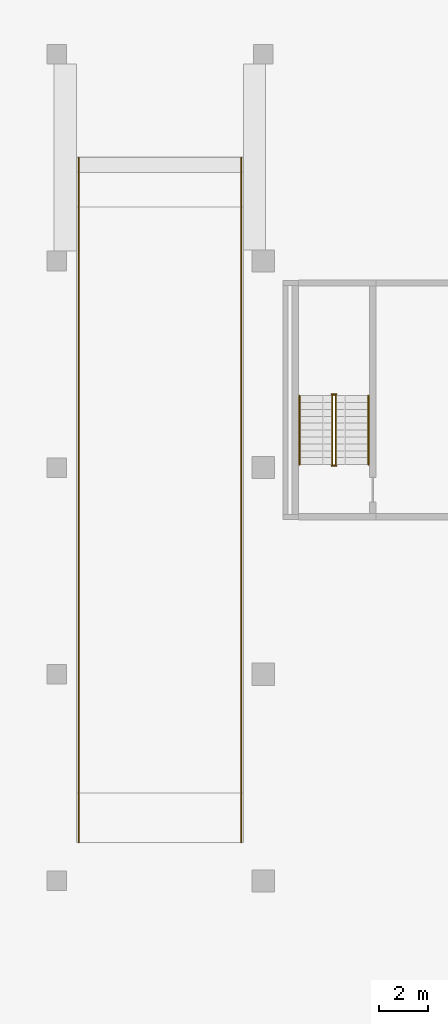
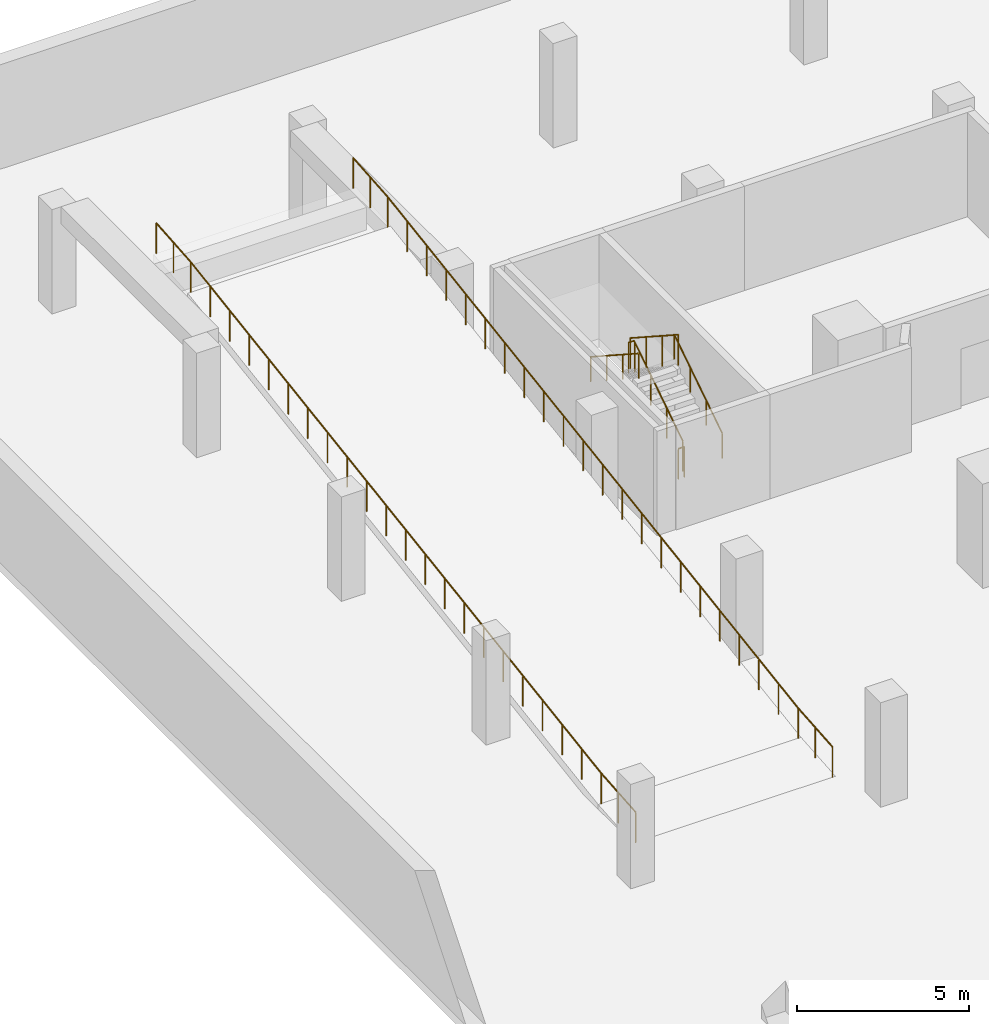
# One storey, part 17 of 18: 8 railings.
"""IFC4 building model written with IfcOpenShell, lengths in metres."""

from ifc_helpers import new_model, si_unit, direction, frame, origin, origin_2d, place, context, subcontext, project, spatial, circle, extrude, material, type_object, element, save


model = new_model("IFC4")

# Units and contexts
model_context = context("Model", 3, precision=1e-05, world=origin(), true_north=direction((0.0, 1.0)))
body_context = subcontext(model_context, "Body", "Model", "MODEL_VIEW")
ifc_project = project(units=[si_unit("LENGTHUNIT", "METRE"), si_unit("AREAUNIT", "SQUARE_METRE"), si_unit("VOLUMEUNIT", "CUBIC_METRE"), si_unit("PLANEANGLEUNIT", "RADIAN"), si_unit("MASSUNIT", "GRAM", prefix="KILO")], contexts=[model_context])

# Site, building, storey
site_placement = place(None, origin())
site = spatial("IfcSite", under=ifc_project, at=site_placement, CompositionType="ELEMENT")
building_placement = place(site_placement, origin())
building = spatial("IfcBuilding", under=site, at=building_placement, Name="Cantera Rosa Tower", CompositionType="ELEMENT")
storey_placement = place(building_placement, frame((0.0, 0.0, -13.0)))
storey = spatial("IfcBuildingStorey", under=building, at=storey_placement, Name="B3", CompositionType="ELEMENT", Elevation=-13.0)

# Railings
ifc_material_1 = material(Name="Steel S355J2 (EN 10025-2)", Category="steel")
railing_type_1 = type_object("IfcRailingType", Name="Ramp guard 1100", PredefinedType="GUARDRAIL", material=ifc_material_1)
railing_1_placement = place(storey_placement, frame((-41.10009765625, 5.7666015625, 0.0)))
element("IfcRailing", 1, at=railing_1_placement, inside=storey, type_object=railing_type_1, Name="Ramp guard RP3a", PredefinedType="GUARDRAIL", context=body_context, shape_type="SweptSolid", body=[
    extrude(circle(Radius=0.02392578125, at=origin_2d()), frame((0.0, 0.0, 1.076171875), z_axis=(0.0, 0.996542401618, 0.083085749549), x_axis=(-1.0, 0.0, 0.0)), (0.0, 0.0, 1.0), 2.0068359375),
    extrude(circle(Radius=0.02392578125, at=origin_2d()), frame((0.0, 2.0, 1.24267578125), z_axis=(0.0, 0.988372868082, 0.152049576252), x_axis=(-1.0, 0.0, 0.0)), (0.0, 0.0, 1.0), 24.11376953125),
    extrude(circle(Radius=0.02392578125, at=origin_2d()), frame((0.0, 25.83349609375, 4.9091796875), z_axis=(0.0, 0.996542401618, 0.083085749549), x_axis=(-1.0, 0.0, 0.0)), (0.0, 0.0, 1.0), 2.0068359375),
    extrude(circle(Radius=0.02099609375, at=origin_2d()), origin(), (0.0, 0.0, 1.0), 1.052001953125),
    extrude(circle(Radius=0.02099609375, at=origin_2d()), frame((0.0, 1.0, 0.08349609375)), (0.0, 0.0, 1.0), 1.052001953125),
    extrude(circle(Radius=0.02099609375, at=origin_2d()), frame((0.0, 2.0, 0.166748046875)), (0.0, 0.0, 1.0), 1.052001953125),
    extrude(circle(Radius=0.02099609375, at=origin_2d()), frame((0.0, 3.135009765625, 0.34130859375)), (0.0, 0.0, 1.0), 1.052001953125),
    extrude(circle(Radius=0.02099609375, at=origin_2d()), frame((0.0, 4.269775390625, 0.515869140625)), (0.0, 0.0, 1.0), 1.052001953125),
    extrude(circle(Radius=0.02099609375, at=origin_2d()), frame((0.0, 5.40478515625, 0.6904296875)), (0.0, 0.0, 1.0), 1.052001953125),
    extrude(circle(Radius=0.02099609375, at=origin_2d()), frame((0.0, 6.539794921875, 0.865234375)), (0.0, 0.0, 1.0), 1.052001953125),
    extrude(circle(Radius=0.02099609375, at=origin_2d()), frame((0.0, 7.674560546875, 1.039794921875)), (0.0, 0.0, 1.0), 1.052001953125),
    extrude(circle(Radius=0.02099609375, at=origin_2d()), frame((0.0, 8.8095703125, 1.21435546875)), (0.0, 0.0, 1.0), 1.052001953125),
    extrude(circle(Radius=0.02099609375, at=origin_2d()), frame((0.0, 9.944580078125, 1.388916015625)), (0.0, 0.0, 1.0), 1.052001953125),
    extrude(circle(Radius=0.02099609375, at=origin_2d()), frame((0.0, 11.079345703125, 1.5634765625)), (0.0, 0.0, 1.0), 1.052001953125),
    extrude(circle(Radius=0.02099609375, at=origin_2d()), frame((0.0, 12.21435546875, 1.738037109375)), (0.0, 0.0, 1.0), 1.052001953125),
    extrude(circle(Radius=0.02099609375, at=origin_2d()), frame((0.0, 13.349365234375, 1.91259765625)), (0.0, 0.0, 1.0), 1.052001953125),
    extrude(circle(Radius=0.02099609375, at=origin_2d()), frame((0.0, 14.484130859375, 2.08740234375)), (0.0, 0.0, 1.0), 1.052001953125),
    extrude(circle(Radius=0.02099609375, at=origin_2d()), frame((0.0, 15.619140625, 2.261962890625)), (0.0, 0.0, 1.0), 1.052001953125),
    extrude(circle(Radius=0.02099609375, at=origin_2d()), frame((0.0, 16.754150390625, 2.4365234375)), (0.0, 0.0, 1.0), 1.052001953125),
    extrude(circle(Radius=0.02099609375, at=origin_2d()), frame((0.0, 17.888916015625, 2.611083984375)), (0.0, 0.0, 1.0), 1.052001953125),
    extrude(circle(Radius=0.02099609375, at=origin_2d()), frame((0.0, 19.02392578125, 2.78564453125)), (0.0, 0.0, 1.0), 1.052001953125),
    extrude(circle(Radius=0.02099609375, at=origin_2d()), frame((0.0, 20.158935546875, 2.960205078125)), (0.0, 0.0, 1.0), 1.052001953125),
    extrude(circle(Radius=0.02099609375, at=origin_2d()), frame((0.0, 21.293701171875, 3.134765625)), (0.0, 0.0, 1.0), 1.052001953125),
    extrude(circle(Radius=0.02099609375, at=origin_2d()), frame((0.0, 22.4287109375, 3.3095703125)), (0.0, 0.0, 1.0), 1.052001953125),
    extrude(circle(Radius=0.02099609375, at=origin_2d()), frame((0.0, 23.563720703125, 3.484130859375)), (0.0, 0.0, 1.0), 1.052001953125),
    extrude(circle(Radius=0.02099609375, at=origin_2d()), frame((0.0, 24.698486328125, 3.65869140625)), (0.0, 0.0, 1.0), 1.052001953125),
    extrude(circle(Radius=0.02099609375, at=origin_2d()), frame((0.0, 25.83349609375, 3.833251953125)), (0.0, 0.0, 1.0), 1.052001953125),
    extrude(circle(Radius=0.02099609375, at=origin_2d()), frame((0.0, 26.83349609375, 3.91650390625)), (0.0, 0.0, 1.0), 1.052001953125),
    extrude(circle(Radius=0.02099609375, at=origin_2d()), frame((0.0, 27.83349609375, 4.0)), (0.0, 0.0, 1.0), 1.052001953125),
])
railing_2_placement = place(storey_placement, frame((-34.5, 5.7666015625, 0.0)))
element("IfcRailing", 2, at=railing_2_placement, inside=storey, type_object=railing_type_1, Name="Ramp guard RP3b", PredefinedType="GUARDRAIL", context=body_context, shape_type="SweptSolid", body=[
    extrude(circle(Radius=0.02392578125, at=origin_2d()), frame((0.0, 0.0, 1.076171875), z_axis=(0.0, 0.996542401618, 0.083085749549), x_axis=(-1.0, 0.0, 0.0)), (0.0, 0.0, 1.0), 2.0068359375),
    extrude(circle(Radius=0.02392578125, at=origin_2d()), frame((0.0, 2.0, 1.24267578125), z_axis=(0.0, 0.988372868082, 0.152049576252), x_axis=(-1.0, 0.0, 0.0)), (0.0, 0.0, 1.0), 24.11376953125),
    extrude(circle(Radius=0.02392578125, at=origin_2d()), frame((0.0, 25.83349609375, 4.9091796875), z_axis=(0.0, 0.996542401618, 0.083085749549), x_axis=(-1.0, 0.0, 0.0)), (0.0, 0.0, 1.0), 2.0068359375),
    extrude(circle(Radius=0.02099609375, at=origin_2d()), origin(), (0.0, 0.0, 1.0), 1.052001953125),
    extrude(circle(Radius=0.02099609375, at=origin_2d()), frame((0.0, 1.0, 0.08349609375)), (0.0, 0.0, 1.0), 1.052001953125),
    extrude(circle(Radius=0.02099609375, at=origin_2d()), frame((0.0, 2.0, 0.166748046875)), (0.0, 0.0, 1.0), 1.052001953125),
    extrude(circle(Radius=0.02099609375, at=origin_2d()), frame((0.0, 3.135009765625, 0.34130859375)), (0.0, 0.0, 1.0), 1.052001953125),
    extrude(circle(Radius=0.02099609375, at=origin_2d()), frame((0.0, 4.269775390625, 0.515869140625)), (0.0, 0.0, 1.0), 1.052001953125),
    extrude(circle(Radius=0.02099609375, at=origin_2d()), frame((0.0, 5.40478515625, 0.6904296875)), (0.0, 0.0, 1.0), 1.052001953125),
    extrude(circle(Radius=0.02099609375, at=origin_2d()), frame((0.0, 6.539794921875, 0.865234375)), (0.0, 0.0, 1.0), 1.052001953125),
    extrude(circle(Radius=0.02099609375, at=origin_2d()), frame((0.0, 7.674560546875, 1.039794921875)), (0.0, 0.0, 1.0), 1.052001953125),
    extrude(circle(Radius=0.02099609375, at=origin_2d()), frame((0.0, 8.8095703125, 1.21435546875)), (0.0, 0.0, 1.0), 1.052001953125),
    extrude(circle(Radius=0.02099609375, at=origin_2d()), frame((0.0, 9.944580078125, 1.388916015625)), (0.0, 0.0, 1.0), 1.052001953125),
    extrude(circle(Radius=0.02099609375, at=origin_2d()), frame((0.0, 11.079345703125, 1.5634765625)), (0.0, 0.0, 1.0), 1.052001953125),
    extrude(circle(Radius=0.02099609375, at=origin_2d()), frame((0.0, 12.21435546875, 1.738037109375)), (0.0, 0.0, 1.0), 1.052001953125),
    extrude(circle(Radius=0.02099609375, at=origin_2d()), frame((0.0, 13.349365234375, 1.91259765625)), (0.0, 0.0, 1.0), 1.052001953125),
    extrude(circle(Radius=0.02099609375, at=origin_2d()), frame((0.0, 14.484130859375, 2.08740234375)), (0.0, 0.0, 1.0), 1.052001953125),
    extrude(circle(Radius=0.02099609375, at=origin_2d()), frame((0.0, 15.619140625, 2.261962890625)), (0.0, 0.0, 1.0), 1.052001953125),
    extrude(circle(Radius=0.02099609375, at=origin_2d()), frame((0.0, 16.754150390625, 2.4365234375)), (0.0, 0.0, 1.0), 1.052001953125),
    extrude(circle(Radius=0.02099609375, at=origin_2d()), frame((0.0, 17.888916015625, 2.611083984375)), (0.0, 0.0, 1.0), 1.052001953125),
    extrude(circle(Radius=0.02099609375, at=origin_2d()), frame((0.0, 19.02392578125, 2.78564453125)), (0.0, 0.0, 1.0), 1.052001953125),
    extrude(circle(Radius=0.02099609375, at=origin_2d()), frame((0.0, 20.158935546875, 2.960205078125)), (0.0, 0.0, 1.0), 1.052001953125),
    extrude(circle(Radius=0.02099609375, at=origin_2d()), frame((0.0, 21.293701171875, 3.134765625)), (0.0, 0.0, 1.0), 1.052001953125),
    extrude(circle(Radius=0.02099609375, at=origin_2d()), frame((0.0, 22.4287109375, 3.3095703125)), (0.0, 0.0, 1.0), 1.052001953125),
    extrude(circle(Radius=0.02099609375, at=origin_2d()), frame((0.0, 23.563720703125, 3.484130859375)), (0.0, 0.0, 1.0), 1.052001953125),
    extrude(circle(Radius=0.02099609375, at=origin_2d()), frame((0.0, 24.698486328125, 3.65869140625)), (0.0, 0.0, 1.0), 1.052001953125),
    extrude(circle(Radius=0.02099609375, at=origin_2d()), frame((0.0, 25.83349609375, 3.833251953125)), (0.0, 0.0, 1.0), 1.052001953125),
    extrude(circle(Radius=0.02099609375, at=origin_2d()), frame((0.0, 26.83349609375, 3.91650390625)), (0.0, 0.0, 1.0), 1.052001953125),
    extrude(circle(Radius=0.02099609375, at=origin_2d()), frame((0.0, 27.83349609375, 4.0)), (0.0, 0.0, 1.0), 1.052001953125),
])
ifc_material_2 = material(Name="Steel S355J2 (EN 10025-2)", Category="steel")
railing_type_2 = type_object("IfcRailingType", Name="STAIR GUARD 1100", PredefinedType="GUARDRAIL", material=ifc_material_2)
railing_3_placement = place(storey_placement, frame((-30.65087890625, 21.125, 0.181884765625)))
element("IfcRailing", 3, at=railing_3_placement, inside=storey, type_object=railing_type_2, Name="B3 ST-NW stair guard 1", PredefinedType="GUARDRAIL", context=body_context, shape_type="SweptSolid", body=[
    extrude(circle(Radius=0.02392578125, at=origin_2d()), frame((0.0, 0.0, 1.076171875), z_axis=(0.0, 0.838705829183, 0.544584733623), x_axis=(-1.0, 0.0, 0.0)), (0.0, 0.0, 1.0), 3.338623046875),
    extrude(circle(Radius=0.02099609375, at=origin_2d()), origin(), (0.0, 0.0, 1.0), 1.052001953125),
    extrude(circle(Radius=0.02099609375, at=origin_2d()), frame((0.0, 0.933349609375, 0.60595703125)), (0.0, 0.0, 1.0), 1.052001953125),
    extrude(circle(Radius=0.02099609375, at=origin_2d()), frame((0.0, 1.86669921875, 1.212158203125)), (0.0, 0.0, 1.0), 1.052001953125),
    extrude(circle(Radius=0.02099609375, at=origin_2d()), frame((0.0, 2.800048828125, 1.818115234375)), (0.0, 0.0, 1.0), 1.052001953125),
])
railing_4_placement = place(storey_placement, frame((-30.625, 23.97509765625, 2.0)))
element("IfcRailing", 4, at=railing_4_placement, inside=storey, type_object=railing_type_2, Name="B3 ST-NW stair guard 2", PredefinedType="GUARDRAIL", context=body_context, shape_type="SweptSolid", body=[
    extrude(circle(Radius=0.02392578125, at=origin_2d()), frame((0.0, 0.0, 1.076171875), z_axis=(-1.0, 0.0, 0.0), x_axis=(0.0, -1.0, 0.0)), (0.0, 0.0, 1.0), 0.199951171875),
    extrude(circle(Radius=0.02099609375, at=origin_2d()), origin(), (0.0, 0.0, 1.0), 1.052001953125),
    extrude(circle(Radius=0.02099609375, at=origin_2d()), frame((-0.199951171875, 0.0, 0.0)), (0.0, 0.0, 1.0), 1.052001953125),
])
railing_5_placement = place(storey_placement, frame((-30.799072265625, 23.925048828125, 2.181884765625)))
element("IfcRailing", 5, at=railing_5_placement, inside=storey, type_object=railing_type_2, Name="B3 ST-NW stair guard 3", PredefinedType="GUARDRAIL", context=body_context, shape_type="SweptSolid", body=[
    extrude(circle(Radius=0.02392578125, at=origin_2d()), frame((0.0, 0.0, 1.076171875), z_axis=(0.0, -0.838705829183, 0.544584733623), x_axis=(1.0, 0.0, 0.0)), (0.0, 0.0, 1.0), 3.338623046875),
    extrude(circle(Radius=0.02099609375, at=origin_2d()), origin(), (0.0, 0.0, 1.0), 1.052001953125),
    extrude(circle(Radius=0.02099609375, at=origin_2d()), frame((0.0, -0.933349609375, 0.60595703125)), (0.0, 0.0, 1.0), 1.052001953125),
    extrude(circle(Radius=0.02099609375, at=origin_2d()), frame((0.0, -1.86669921875, 1.212158203125)), (0.0, 0.0, 1.0), 1.052001953125),
    extrude(circle(Radius=0.02099609375, at=origin_2d()), frame((0.0, -2.800048828125, 1.818115234375)), (0.0, 0.0, 1.0), 1.052001953125),
])
railing_6_placement = place(storey_placement, frame((-30.625, 21.074951171875, 0.0)))
element("IfcRailing", 6, at=railing_6_placement, inside=storey, type_object=railing_type_2, Name="B3 ST-NW stair guard 4", PredefinedType="GUARDRAIL", context=body_context, shape_type="SweptSolid", body=[
    extrude(circle(Radius=0.02392578125, at=origin_2d()), frame((0.0, 0.0, 1.076171875), z_axis=(-1.0, 0.0, 0.0), x_axis=(0.0, -1.0, 0.0)), (0.0, 0.0, 1.0), 0.199951171875),
    extrude(circle(Radius=0.02099609375, at=origin_2d()), origin(), (0.0, 0.0, 1.0), 1.052001953125),
    extrude(circle(Radius=0.02099609375, at=origin_2d()), frame((-0.199951171875, 0.0, 0.0)), (0.0, 0.0, 1.0), 1.052001953125),
])
ifc_material_3 = material(Name="Steel S355J2 (EN 10025-2)", Category="steel")
railing_type_3 = type_object("IfcRailingType", Name="STAIR HANDRAIL 900", PredefinedType="HANDRAIL", material=ifc_material_3)
railing_7_placement = place(storey_placement, frame((-29.324951171875, 21.125, 0.181884765625)))
element("IfcRailing", 7, at=railing_7_placement, inside=storey, type_object=railing_type_3, Name="B3 ST-NW stair handrail 1", PredefinedType="HANDRAIL", context=body_context, shape_type="SweptSolid", body=[
    extrude(circle(Radius=0.02392578125, at=origin_2d()), frame((0.0, 0.0, 0.8759765625), z_axis=(0.0, 0.838705829183, 0.544584733623), x_axis=(-1.0, 0.0, 0.0)), (0.0, 0.0, 1.0), 3.338623046875),
    extrude(circle(Radius=0.02099609375, at=origin_2d()), origin(), (0.0, 0.0, 1.0), 0.851806640625),
    extrude(circle(Radius=0.02099609375, at=origin_2d()), frame((0.0, 0.933349609375, 0.60595703125)), (0.0, 0.0, 1.0), 0.851806640625),
    extrude(circle(Radius=0.02099609375, at=origin_2d()), frame((0.0, 1.86669921875, 1.212158203125)), (0.0, 0.0, 1.0), 0.851806640625),
    extrude(circle(Radius=0.02099609375, at=origin_2d()), frame((0.0, 2.800048828125, 1.818115234375)), (0.0, 0.0, 1.0), 0.851806640625),
])
railing_8_placement = place(storey_placement, frame((-32.125, 23.925048828125, 2.181884765625)))
element("IfcRailing", 8, at=railing_8_placement, inside=storey, type_object=railing_type_3, Name="B3 ST-NW stair handrail 2", PredefinedType="HANDRAIL", context=body_context, shape_type="SweptSolid", body=[
    extrude(circle(Radius=0.02392578125, at=origin_2d()), frame((0.0, 0.0, 0.8759765625), z_axis=(0.0, -0.838705829183, 0.544584733623), x_axis=(1.0, 0.0, 0.0)), (0.0, 0.0, 1.0), 3.338623046875),
    extrude(circle(Radius=0.02099609375, at=origin_2d()), origin(), (0.0, 0.0, 1.0), 0.851806640625),
    extrude(circle(Radius=0.02099609375, at=origin_2d()), frame((0.0, -0.933349609375, 0.60595703125)), (0.0, 0.0, 1.0), 0.851806640625),
    extrude(circle(Radius=0.02099609375, at=origin_2d()), frame((0.0, -1.86669921875, 1.212158203125)), (0.0, 0.0, 1.0), 0.851806640625),
    extrude(circle(Radius=0.02099609375, at=origin_2d()), frame((0.0, -2.800048828125, 1.818115234375)), (0.0, 0.0, 1.0), 0.851806640625),
])

save(model, "model.ifc")
